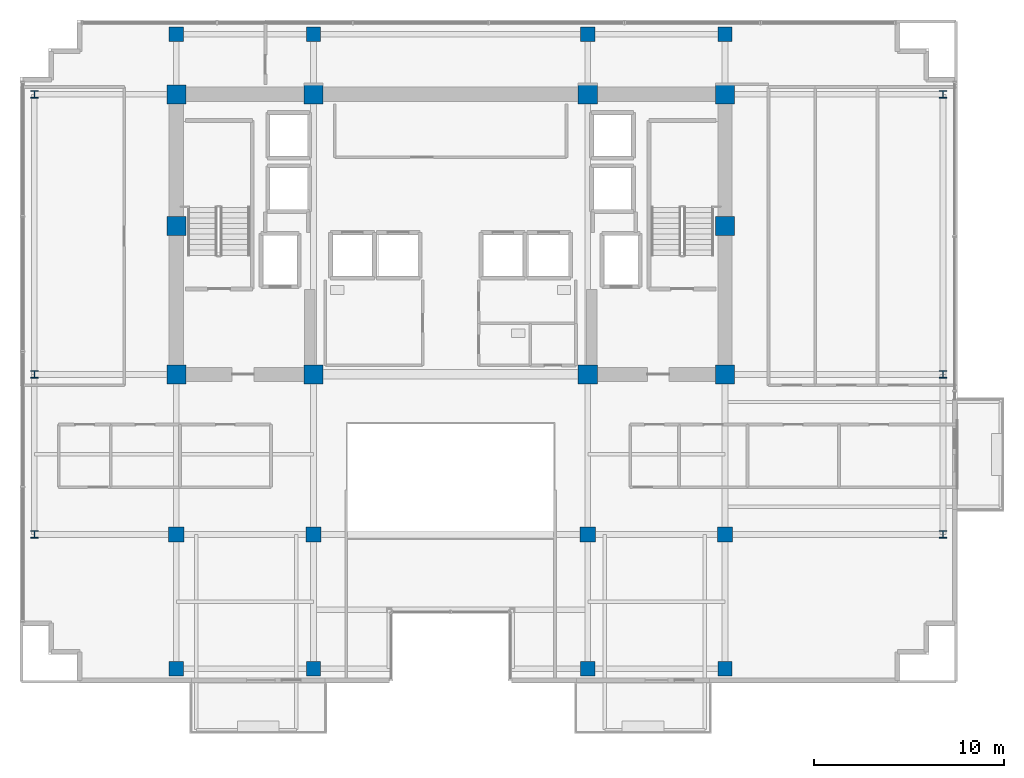
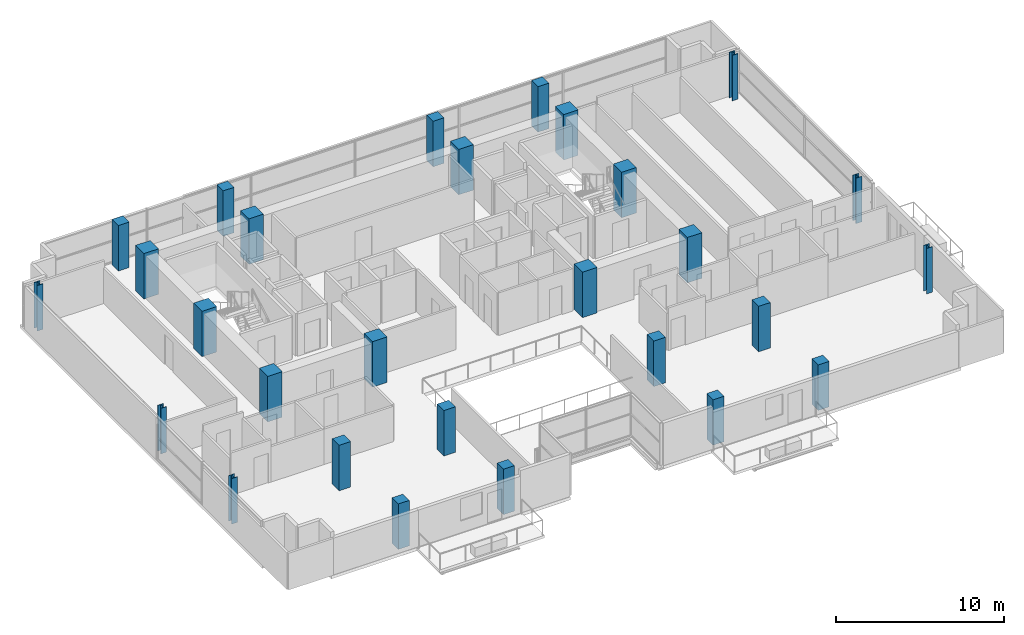
# One storey, part 1 of 21: 28 columns.
"""IFC4 building model written with IfcOpenShell, lengths in metres."""

import ifcopenshell
import ifcopenshell.guid

model = None  # the IFC model being written
_history = None  # IfcOwnerHistory: only IFC2X3 demands one
_inside = {}  # id of a spatial element -> (the spatial element, [elements in it])
_under = {}  # id of a project, library or spatial element -> (it, [spatial elements below it])
_declared = {}  # id of a project -> (the project, [libraries it declares])
_typed = {}  # id of a type object -> (the type object, [elements of that type])
_made_of = {}  # id of a material, layer set ... -> (it, [elements and type objects made of it])


def new_model(schema):
    """Start an empty IFC model of exactly this schema.

    Asked for "IFC4X3", IfcOpenShell would pick the latest addendum, in which some entities
    have other attributes; the version numbers below select the first issue.
    IFC2X3 requires an IfcOwnerHistory on every rooted entity: one is made here for all.
    """
    global model, _history
    if schema == "IFC4X3":
        model = ifcopenshell.file(schema_version=(4, 3, 0, 0))
    else:
        model = ifcopenshell.file(schema=schema)
    _inside.clear()
    _under.clear()
    _declared.clear()
    _typed.clear()
    _made_of.clear()
    _history = None
    if model.schema == "IFC2X3":
        org = make("IfcOrganization", Name="unknown")
        user = make(
            "IfcPersonAndOrganization",
            ThePerson=make("IfcPerson", FamilyName="unknown"),
            TheOrganization=org,
        )
        app = make(
            "IfcApplication",
            ApplicationDeveloper=org,
            Version="unknown",
            ApplicationFullName="unknown",
            ApplicationIdentifier="unknown",
        )
        _history = make(
            "IfcOwnerHistory",
            OwningUser=user,
            OwningApplication=app,
            ChangeAction="ADDED",
            CreationDate=0,
        )
    return model


def make(cls, **values):
    """One entity of the class cls with the attributes given. An attribute that is None is left unset."""
    return model.create_entity(
        cls, **{name: value for name, value in values.items() if value is not None}
    )


def rooted(cls, **values):
    """An entity with a GlobalId (a new one), such as an element, a storey or a relation."""
    return make(cls, GlobalId=ifcopenshell.guid.new(), OwnerHistory=_history, **values)


def si_unit(unit_type, name, prefix=None):
    """IfcSIUnit, for example si_unit("LENGTHUNIT", "METRE", prefix="MILLI")."""
    return make("IfcSIUnit", UnitType=unit_type, Prefix=prefix, Name=name)


def assignment(units):
    """IfcUnitAssignment: the units of a project."""
    return None if units is None else make("IfcUnitAssignment", Units=units)


def point(xyz):
    """IfcCartesianPoint."""
    return None if xyz is None else make("IfcCartesianPoint", Coordinates=xyz)


def direction(xyz):
    """IfcDirection."""
    return None if xyz is None else make("IfcDirection", DirectionRatios=xyz)


def frame(location, z_axis=None, x_axis=None):
    """IfcAxis2Placement3D, a coordinate frame: its origin and axes. An axis left out is left unset."""
    return make(
        "IfcAxis2Placement3D",
        Location=point(location),
        Axis=direction(z_axis),
        RefDirection=direction(x_axis),
    )


def frame_2d(location, x_axis=None):
    """IfcAxis2Placement2D, a coordinate frame in the plane: its origin and x axis."""
    return make(
        "IfcAxis2Placement2D", Location=point(location), RefDirection=direction(x_axis)
    )


def origin():
    """The frame at (0, 0, 0) with its axes left unset."""
    return frame((0.0, 0.0, 0.0))


def origin_2d():
    """The frame at (0, 0) in the plane with its x axis left unset."""
    return frame_2d((0.0, 0.0))


def place(relative_to, where):
    """IfcLocalPlacement: puts the frame where relative to a parent placement (None: the world)."""
    return make(
        "IfcLocalPlacement", PlacementRelTo=relative_to, RelativePlacement=where
    )


def context(
    kind, dimensions, precision=None, world=None, true_north=None, identifier=None
):
    """IfcGeometricRepresentationContext, for example the 3D "Model" context."""
    return make(
        "IfcGeometricRepresentationContext",
        ContextIdentifier=identifier,
        ContextType=kind,
        CoordinateSpaceDimension=dimensions,
        Precision=precision,
        WorldCoordinateSystem=world,
        TrueNorth=true_north,
    )


def subcontext(parent, identifier, kind, view, scale=None):
    """IfcGeometricRepresentationSubContext, for example "Body" below "Model"."""
    return make(
        "IfcGeometricRepresentationSubContext",
        ContextIdentifier=identifier,
        ContextType=kind,
        ParentContext=parent,
        TargetScale=scale,
        TargetView=view,
    )


def project(units=None, contexts=None):
    """IfcProject with its units and contexts."""
    return rooted(
        "IfcProject",
        Name="project",
        RepresentationContexts=contexts,
        UnitsInContext=assignment(units),
    )


def spatial(cls, under=None, at=None, **own):
    """A site, building, storey or space (cls), placed at a placement, below another one or the project."""
    s = rooted(cls, ObjectPlacement=at, **own)
    if under is not None:
        _under.setdefault(under.id(), (under, []))[1].append(s)
    return s


def profile(cls, at=None, kind="AREA", **sizes):
    """A parametric profile (cls). Its sizes go by their IFC names, for example OverallWidth=200.0."""
    return make(cls, ProfileType=kind, Position=at, **sizes)


def rectangle(**sizes):
    """IfcRectangleProfileDef."""
    return profile("IfcRectangleProfileDef", **sizes)


def i_section(**sizes):
    """IfcIShapeProfileDef."""
    return profile("IfcIShapeProfileDef", **sizes)


def extrude(swept, where, along, depth):
    """IfcExtrudedAreaSolid: the profile swept, set in the frame where, extruded along a direction by depth."""
    return make(
        "IfcExtrudedAreaSolid",
        SweptArea=swept,
        Position=where,
        ExtrudedDirection=direction(along),
        Depth=depth,
    )


def shape(context_of_items, identifier, shape_type, items):
    """IfcShapeRepresentation: the items that make up one representation, for example the "Body"."""
    return make(
        "IfcShapeRepresentation",
        ContextOfItems=context_of_items,
        RepresentationIdentifier=identifier,
        RepresentationType=shape_type,
        Items=items,
    )


def material(Name=None, Category=None):
    """IfcMaterial."""
    return make("IfcMaterial", Name=Name, Category=Category)


def material_profile(
    of_material, cross_section, Name=None, Category=None, Priority=None
):
    """IfcMaterialProfile: a cross section and its material."""
    return make(
        "IfcMaterialProfile",
        Name=Name,
        Material=of_material,
        Profile=cross_section,
        Priority=Priority,
        Category=Category,
    )


def profile_set(profiles, Name=None, composite=None):
    """IfcMaterialProfileSet."""
    return make(
        "IfcMaterialProfileSet",
        Name=Name,
        MaterialProfiles=profiles,
        CompositeProfile=composite,
    )


def made_of(thing, what):
    """Note that an element or type object is made of a material, layer set ...; save() writes the relation."""
    if what is not None:
        _made_of.setdefault(what.id(), (what, []))[1].append(thing)
    return thing


def type_object(cls, material=None, **own):
    """A type object (cls), such as IfcWallType, which elements share."""
    return made_of(rooted(cls, **own), material)


def element(
    cls,
    number,
    at=None,
    inside=None,
    cuts=None,
    type_object=None,
    material=None,
    context=None,
    identifier="Body",
    shape_type=None,
    held_by="IfcProductDefinitionShape",
    body=None,
    shapes=None,
    **own,
):
    """One element of the class cls, such as IfcWall. Its Tag is "e" and its number.

    at: its placement. inside: the storey or other place that contains it. cuts: it is an
    opening in that element (IfcRelVoidsElement). A single representation is given by context,
    identifier, shape_type and body (its items); several are given by shapes. held_by: the class
    of the entity that holds the representations. save() writes the other relations.
    """
    e = rooted(cls, Tag="e%d" % number, ObjectPlacement=at, **own)
    if body is not None:
        shapes = [shape(context, identifier, shape_type, body)]
    if shapes is not None:
        e.Representation = make(held_by, Representations=shapes)
    if inside is not None:
        _inside.setdefault(inside.id(), (inside, []))[1].append(e)
    if cuts is not None:
        rooted(
            "IfcRelVoidsElement", RelatingBuildingElement=cuts, RelatedOpeningElement=e
        )
    if type_object is not None:
        _typed.setdefault(type_object.id(), (type_object, []))[1].append(e)
    return made_of(e, material)


def aggregate(whole, parts):
    """IfcRelAggregates: a whole, such as a stair, and the parts it consists of."""
    return rooted("IfcRelAggregates", RelatingObject=whole, RelatedObjects=parts)


def save(model, path):
    """Write the relations noted so far, then the file.

    IfcRelAggregates (storeys below a building ...), IfcRelContainedInSpatialStructure (elements
    in a storey), IfcRelDefinesByType, IfcRelAssociatesMaterial and IfcRelDeclares: one each for
    every whole, place, type object, material and project.
    """
    for whole, parts in _under.values():
        aggregate(whole, parts)
    for where, things in _inside.values():
        rooted(
            "IfcRelContainedInSpatialStructure",
            RelatedElements=things,
            RelatingStructure=where,
        )
    for kind, things in _typed.values():
        rooted("IfcRelDefinesByType", RelatedObjects=things, RelatingType=kind)
    for what, things in _made_of.values():
        rooted("IfcRelAssociatesMaterial", RelatedObjects=things, RelatingMaterial=what)
    for by, libraries in _declared.values():
        rooted("IfcRelDeclares", RelatingContext=by, RelatedDefinitions=libraries)
    model.write(path)


model = new_model("IFC4")

# Units and contexts
model_context = context("Model", 3, precision=1e-05, world=origin(), true_north=direction((0.0, 1.0)))
body_context = subcontext(model_context, "Body", "Model", "MODEL_VIEW")
ifc_project = project(units=[si_unit("LENGTHUNIT", "METRE"), si_unit("AREAUNIT", "SQUARE_METRE"), si_unit("VOLUMEUNIT", "CUBIC_METRE"), si_unit("PLANEANGLEUNIT", "RADIAN"), si_unit("MASSUNIT", "GRAM", prefix="KILO")], contexts=[model_context])

# Site, building, storey
site_placement = place(None, origin())
site = spatial("IfcSite", under=ifc_project, at=site_placement, CompositionType="ELEMENT")
building_placement = place(site_placement, origin())
building = spatial("IfcBuilding", under=site, at=building_placement, Name="Zarnakvel Exchange Tower", CompositionType="ELEMENT")
storey_placement = place(building_placement, frame((0.0, 0.0, 189.10009765625)))
storey = spatial("IfcBuildingStorey", under=building, at=storey_placement, Name="L53", CompositionType="ELEMENT", Elevation=189.10009765625)

# Columns
ifc_material_1 = material(Name="Concrete C60/75", Category="concrete")
ifc_material_profile_1 = material_profile(ifc_material_1, rectangle(XDim=1.0, YDim=1.0, at=origin_2d()))
ifc_profile_set_1 = profile_set([ifc_material_profile_1], Name="Concrete C60/75")
column_type_1 = type_object("IfcColumnType", Name="CC-02", PredefinedType="COLUMN", material=ifc_profile_set_1)
for number, where, z_axis, x_axis, name in (
    (1, (-14.39990234375, -1.199951171875, 0.0), (0.0, 0.0, 1.0), (1.0, 0.0, 0.0), "L53 Column C-4D (CC-02)"),
    (2, (-7.199951171875, -1.199951171875, 0.0), (0.0, 0.0, 1.0), (1.0, 0.0, 0.0), "L53 Column C-5D (CC-02)"),
    (3, (7.199951171875, -1.199951171875, 0.0), (0.0, 0.0, 1.0), (1.0, 0.0, 0.0), "L53 Column C-8D (CC-02)"),
    (4, (14.39990234375, -1.199951171875, 0.0), (0.0, 0.0, 1.0), (1.0, 0.0, 0.0), "L53 Column C-9D (CC-02)"),
    (5, (-14.39990234375, 6.60009765625, 0.0), (0.0, 0.0, 1.0), (1.0, 0.0, 0.0), "L53 Column C-4E (CC-02)"),
    (6, (14.39990234375, 6.60009765625, 0.0), (0.0, 0.0, 1.0), (1.0, 0.0, 0.0), "L53 Column C-9E (CC-02)"),
    (7, (-14.39990234375, 13.5, 0.0), (0.0, 0.0, 1.0), (1.0, 0.0, 0.0), "L53 Column C-4F (CC-02)"),
    (8, (-7.199951171875, 13.5, 0.0), (0.0, 0.0, 1.0), (1.0, 0.0, 0.0), "L53 Column C-5F (CC-02)"),
    (9, (7.199951171875, 13.5, 0.0), (0.0, 0.0, 1.0), (1.0, 0.0, 0.0), "L53 Column C-8F (CC-02)"),
    (10, (14.39990234375, 13.5, 0.0), (0.0, 0.0, 1.0), (1.0, 0.0, 0.0), "L53 Column C-9F (CC-02)"),
):
    element("IfcColumn", number, at=place(storey_placement, frame(where, z_axis=z_axis, x_axis=x_axis)), inside=storey, type_object=column_type_1, Name=name, PredefinedType="COLUMN", context=body_context, shape_type="SweptSolid", body=[
        extrude(rectangle(XDim=1.0, YDim=1.0, at=origin_2d()), origin(), (0.0, 0.0, 1.0), 3.2998046875),
    ])
ifc_material_2 = material(Name="Steel S355", Category="steel")
ifc_material_profile_2 = material_profile(ifc_material_2, i_section(OverallWidth=0.39892578125, OverallDepth=0.3935546875, WebThickness=0.022705078125, FlangeThickness=0.03662109375, FilletRadius=0.01513671875, at=origin_2d()))
ifc_profile_set_2 = profile_set([ifc_material_profile_2], Name="Steel S355")
column_type_2 = type_object("IfcColumnType", Name="SC-04", PredefinedType="COLUMN", material=ifc_profile_set_2)
for number, where, z_axis, x_axis, name in (
    (11, (-21.85009765625, -9.60009765625, 0.0), (0.0, 0.0, 1.0), (1.0, 0.0, 0.0), "L53 Column TW-C (SC-04)"),
    (12, (25.85009765625, -9.60009765625, 0.0), (0.0, 0.0, 1.0), (1.0, 0.0, 0.0), "L53 Column TE-C (SC-04)"),
    (13, (-21.85009765625, -1.199951171875, 0.0), (0.0, 0.0, 1.0), (1.0, 0.0, 0.0), "L53 Column TW-D (SC-04)"),
    (14, (25.85009765625, -1.199951171875, 0.0), (0.0, 0.0, 1.0), (1.0, 0.0, 0.0), "L53 Column TE-D (SC-04)"),
    (15, (-21.85009765625, 13.5, 0.0), (0.0, 0.0, 1.0), (1.0, 0.0, 0.0), "L53 Column TW-F (SC-04)"),
    (16, (25.85009765625, 13.5, 0.0), (0.0, 0.0, 1.0), (1.0, 0.0, 0.0), "L53 Column TE-F (SC-04)"),
):
    element("IfcColumn", number, at=place(storey_placement, frame(where, z_axis=z_axis, x_axis=x_axis)), inside=storey, type_object=column_type_2, Name=name, PredefinedType="COLUMN", context=body_context, shape_type="SweptSolid", body=[
        extrude(i_section(OverallWidth=0.39892578125, OverallDepth=0.3935546875, WebThickness=0.022705078125, FlangeThickness=0.03662109375, FilletRadius=0.01513671875, at=origin_2d()), origin(), (0.0, 0.0, 1.0), 3.2998046875),
    ])
ifc_material_profile_3 = material_profile(ifc_material_1, rectangle(XDim=0.800048828125, YDim=0.800048828125, at=origin_2d()))
ifc_profile_set_3 = profile_set([ifc_material_profile_3], Name="Concrete C60/75")
column_type_3 = type_object("IfcColumnType", Name="TC-03", PredefinedType="COLUMN", material=ifc_profile_set_3)
for number, where, z_axis, x_axis, name in (
    (17, (-14.39990234375, -9.60009765625, 0.0), (0.0, 0.0, 1.0), (1.0, 0.0, 0.0), "L53 Column T-4C (TC-03)"),
    (18, (-7.199951171875, -9.60009765625, 0.0), (0.0, 0.0, 1.0), (1.0, 0.0, 0.0), "L53 Column T-5C (TC-03)"),
    (19, (7.199951171875, -9.60009765625, 0.0), (0.0, 0.0, 1.0), (1.0, 0.0, 0.0), "L53 Column T-8C (TC-03)"),
    (20, (14.39990234375, -9.60009765625, 0.0), (0.0, 0.0, 1.0), (1.0, 0.0, 0.0), "L53 Column T-9C (TC-03)"),
):
    element("IfcColumn", number, at=place(storey_placement, frame(where, z_axis=z_axis, x_axis=x_axis)), inside=storey, type_object=column_type_3, Name=name, PredefinedType="COLUMN", context=body_context, shape_type="SweptSolid", body=[
        extrude(rectangle(XDim=0.800048828125, YDim=0.800048828125, at=origin_2d()), origin(), (0.0, 0.0, 1.0), 3.2998046875),
    ])
ifc_material_3 = material(Name="Concrete C50/60", Category="concrete")
ifc_material_profile_4 = material_profile(ifc_material_3, rectangle(XDim=0.75, YDim=0.75, at=origin_2d()))
ifc_profile_set_4 = profile_set([ifc_material_profile_4], Name="Concrete C50/60")
column_type_4 = type_object("IfcColumnType", Name="TC-04", PredefinedType="COLUMN", material=ifc_profile_set_4)
for number, where, z_axis, x_axis, name in (
    (21, (-14.39990234375, -16.64990234375, 0.0), (0.0, 0.0, 1.0), (1.0, 0.0, 0.0), "L53 Column TS-4 (TC-04)"),
    (22, (-14.39990234375, 16.64990234375, 0.0), (0.0, 0.0, 1.0), (1.0, 0.0, 0.0), "L53 Column TN-4 (TC-04)"),
    (23, (-7.199951171875, -16.64990234375, 0.0), (0.0, 0.0, 1.0), (1.0, 0.0, 0.0), "L53 Column TS-5 (TC-04)"),
    (24, (-7.199951171875, 16.64990234375, 0.0), (0.0, 0.0, 1.0), (1.0, 0.0, 0.0), "L53 Column TN-5 (TC-04)"),
    (25, (7.199951171875, -16.64990234375, 0.0), (0.0, 0.0, 1.0), (1.0, 0.0, 0.0), "L53 Column TS-8 (TC-04)"),
    (26, (7.199951171875, 16.64990234375, 0.0), (0.0, 0.0, 1.0), (1.0, 0.0, 0.0), "L53 Column TN-8 (TC-04)"),
    (27, (14.39990234375, -16.64990234375, 0.0), (0.0, 0.0, 1.0), (1.0, 0.0, 0.0), "L53 Column TS-9 (TC-04)"),
    (28, (14.39990234375, 16.64990234375, 0.0), (0.0, 0.0, 1.0), (1.0, 0.0, 0.0), "L53 Column TN-9 (TC-04)"),
):
    element("IfcColumn", number, at=place(storey_placement, frame(where, z_axis=z_axis, x_axis=x_axis)), inside=storey, type_object=column_type_4, Name=name, PredefinedType="COLUMN", context=body_context, shape_type="SweptSolid", body=[
        extrude(rectangle(XDim=0.75, YDim=0.75, at=origin_2d()), origin(), (0.0, 0.0, 1.0), 3.2998046875),
    ])

save(model, "model.ifc")
